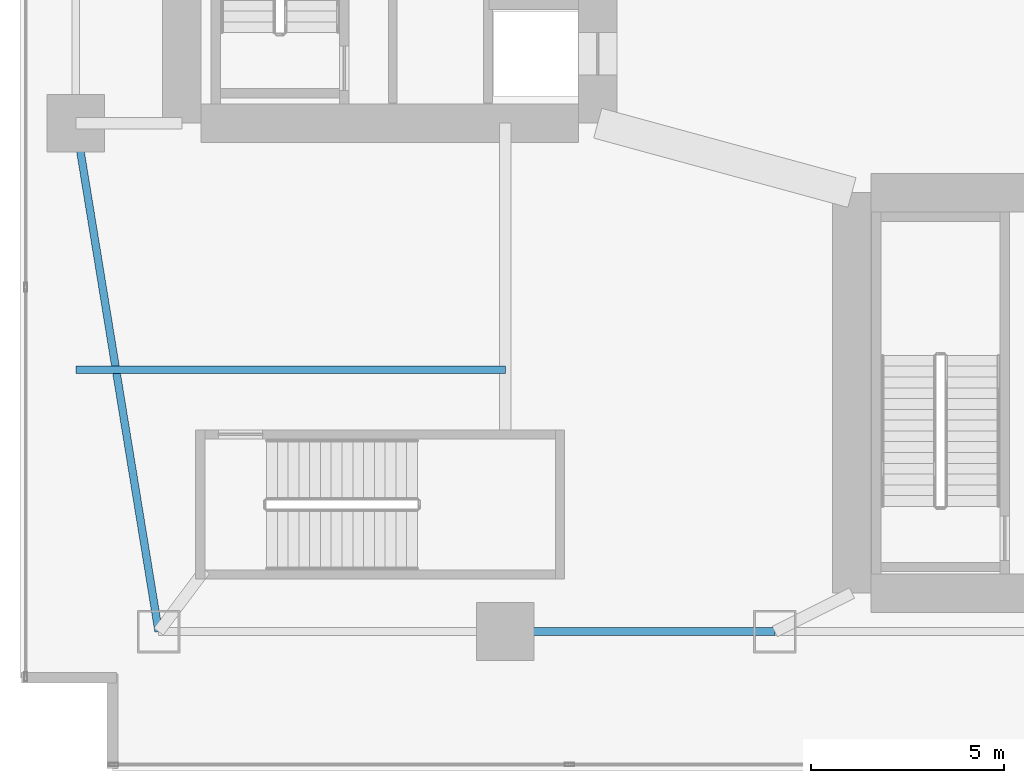
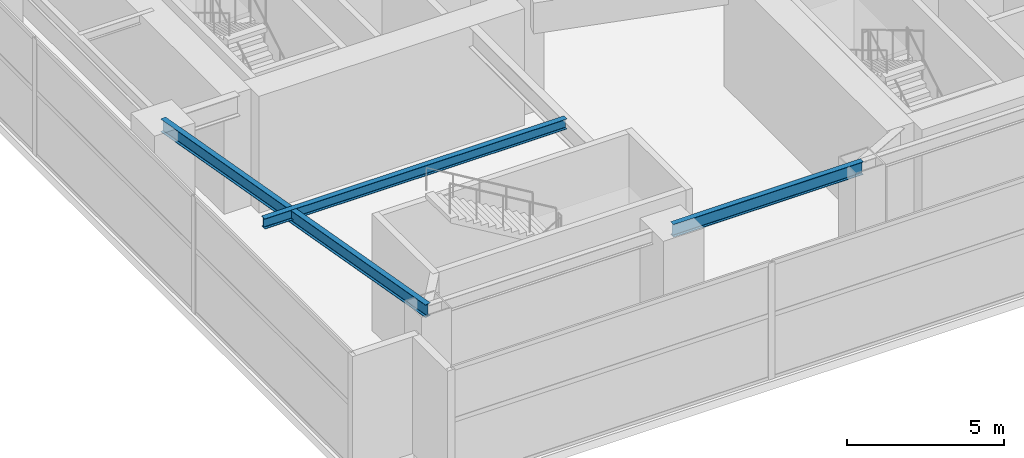
# One storey, part 5 of 30: 3 beams.
"""IFC4 building model written with IfcOpenShell, lengths in metres."""

from ifc_helpers import new_model, si_unit, direction, frame, origin, origin_2d, place, context, subcontext, project, spatial, i_section, extrude, material, material_profile, profile_set, type_object, element, save


model = new_model("IFC4")

# Units and contexts
model_context = context("Model", 3, precision=1e-05, world=origin(), true_north=direction((0.0, 1.0)))
body_context = subcontext(model_context, "Body", "Model", "MODEL_VIEW")
ifc_project = project(units=[si_unit("LENGTHUNIT", "METRE"), si_unit("AREAUNIT", "SQUARE_METRE"), si_unit("VOLUMEUNIT", "CUBIC_METRE"), si_unit("PLANEANGLEUNIT", "RADIAN"), si_unit("MASSUNIT", "GRAM", prefix="KILO")], contexts=[model_context])

# Site, building, storey
site_placement = place(None, origin())
site = spatial("IfcSite", under=ifc_project, at=site_placement, CompositionType="ELEMENT")
building_placement = place(site_placement, origin())
building = spatial("IfcBuilding", under=site, at=building_placement, Name="Calvorn Quay Hotel", CompositionType="ELEMENT")
storey_placement = place(building_placement, frame((0.0, 0.0, 17.0)))
storey = spatial("IfcBuildingStorey", under=building, at=storey_placement, Name="L03", CompositionType="ELEMENT", Elevation=17.0)

# Beams
ifc_material_1 = material(Name="Steel Q355B", Category="steel")
ifc_material_profile_1 = material_profile(ifc_material_1, i_section(OverallWidth=0.199951171875, OverallDepth=0.39990234375, WebThickness=0.008056640625, FlangeThickness=0.012939453125, FilletRadius=0.01611328125, at=origin_2d()), Name="HN400x200x8x13")
ifc_profile_set_1 = profile_set([ifc_material_profile_1], Name="Steel Q355B")
beam_type_1 = type_object("IfcBeamType", Name="BM-JOIST-TYP", PredefinedType="JOIST", material=ifc_profile_set_1)
beam_1_placement = place(storey_placement, frame((1.449951171875, 10.39990234375, 4.35009765625), z_axis=(1.0, 0.0, 0.0), x_axis=(0.0, 1.0, 0.0)))
element("IfcBeam", 1, at=beam_1_placement, inside=storey, type_object=beam_type_1, Name="Beam BJ-L03-W1", PredefinedType="JOIST", context=body_context, shape_type="SweptSolid", body=[
    extrude(i_section(OverallWidth=0.199951171875, OverallDepth=0.39990234375, WebThickness=0.008056640625, FlangeThickness=0.012939453125, FilletRadius=0.01611328125, at=origin_2d()), origin(), (0.0, 0.0, 1.0), 11.150146484375),
])
ifc_material_2 = material(Name="Steel Q355B", Category="steel")
ifc_material_profile_2 = material_profile(ifc_material_2, i_section(OverallWidth=0.199951171875, OverallDepth=0.5, WebThickness=0.010009765625, FlangeThickness=0.01611328125, FilletRadius=0.01611328125, at=origin_2d()), Name="HN500x200x10x16")
ifc_profile_set_2 = profile_set([ifc_material_profile_2], Name="Steel Q355B")
beam_type_2 = type_object("IfcBeamType", Name="BM-SPANDREL-Z1", PredefinedType="SPANDREL", material=ifc_profile_set_2)
beam_2_placement = place(storey_placement, frame((3.60009765625, 3.60009765625, 4.300048828125), z_axis=(-0.16077155054, 0.986991645627, 0.0), x_axis=(-0.986991645627, -0.16077155054, 0.0)))
element("IfcBeam", 2, at=beam_2_placement, inside=storey, type_object=beam_type_2, Name="Beam BSP-L03-W1", PredefinedType="SPANDREL", context=body_context, shape_type="SweptSolid", body=[
    extrude(i_section(OverallWidth=0.199951171875, OverallDepth=0.5, WebThickness=0.010009765625, FlangeThickness=0.01611328125, FilletRadius=0.01611328125, at=origin_2d()), origin(), (0.0, 0.0, 1.0), 13.3740234375),
])
beam_3_placement = place(storey_placement, frame((12.60009765625, 3.60009765625, 4.300048828125), z_axis=(1.0, 0.0, 0.0), x_axis=(0.0, 1.0, 0.0)))
element("IfcBeam", 3, at=beam_3_placement, inside=storey, type_object=beam_type_2, Name="Beam BSP-L03-S2", PredefinedType="SPANDREL", context=body_context, shape_type="SweptSolid", body=[
    extrude(i_section(OverallWidth=0.199951171875, OverallDepth=0.5, WebThickness=0.010009765625, FlangeThickness=0.01611328125, FilletRadius=0.01611328125, at=origin_2d()), origin(), (0.0, 0.0, 1.0), 7.0),
])

save(model, "model.ifc")
